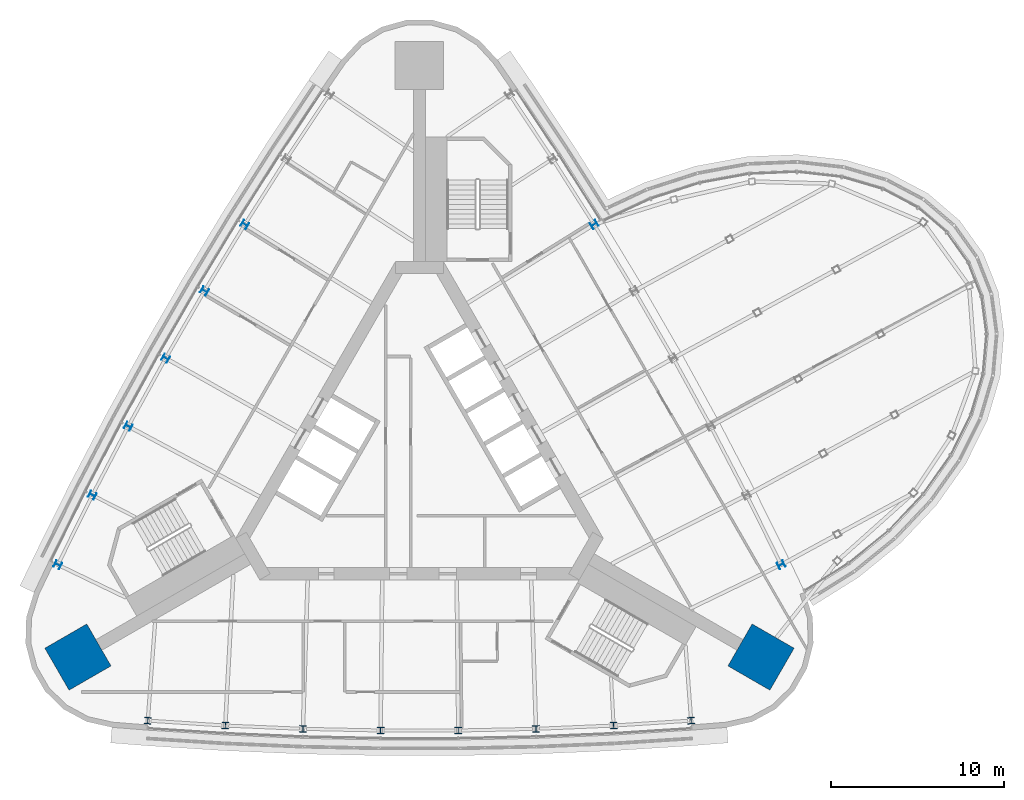
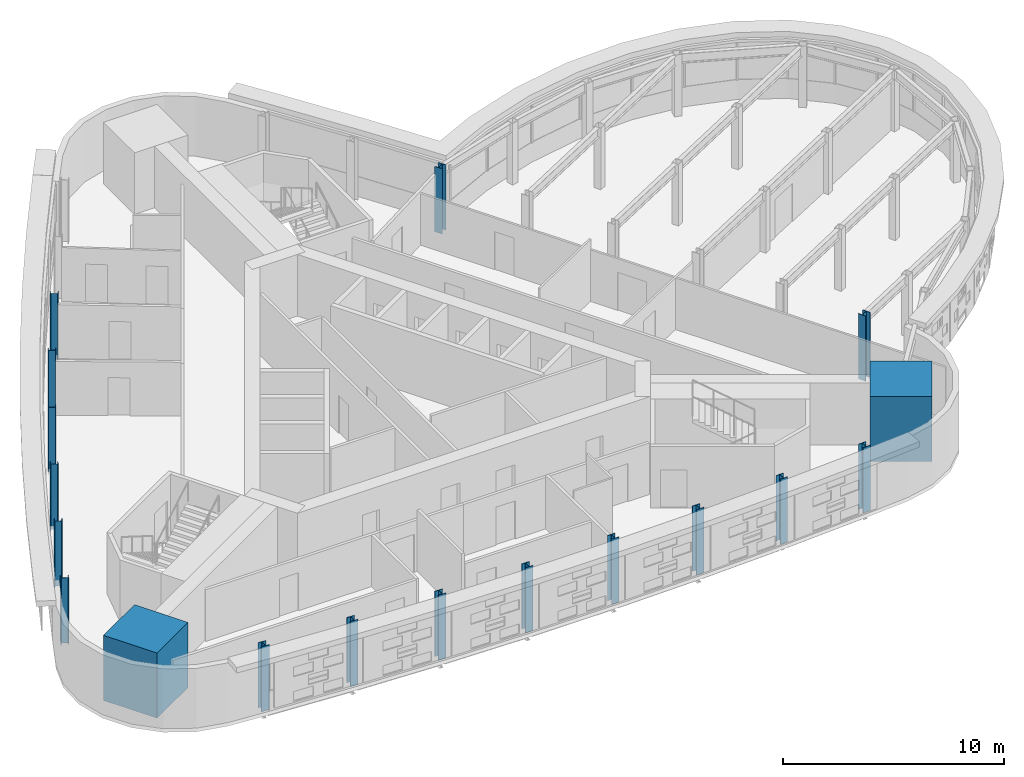
# One storey, part 1 of 15: 18 columns.
"""IFC4 building model written with IfcOpenShell, lengths in metres."""

from ifc_helpers import new_model, si_unit, direction, frame, origin, origin_2d, place, context, subcontext, project, spatial, rectangle, i_section, extrude, material, material_profile, profile_set, type_object, element, save


model = new_model("IFC4")

# Units and contexts
model_context = context("Model", 3, precision=1e-05, world=origin(), true_north=direction((0.0, 1.0)))
body_context = subcontext(model_context, "Body", "Model", "MODEL_VIEW")
ifc_project = project(units=[si_unit("LENGTHUNIT", "METRE"), si_unit("AREAUNIT", "SQUARE_METRE"), si_unit("VOLUMEUNIT", "CUBIC_METRE"), si_unit("PLANEANGLEUNIT", "RADIAN"), si_unit("MASSUNIT", "GRAM", prefix="KILO")], contexts=[model_context])

# Site, building, storey
site_placement = place(None, origin())
site = spatial("IfcSite", under=ifc_project, at=site_placement, CompositionType="ELEMENT")
building_placement = place(site_placement, origin())
building = spatial("IfcBuilding", under=site, at=building_placement, Name="Noor Cloister Tower", CompositionType="ELEMENT")
storey_placement = place(building_placement, frame((0.0, 0.0, 181.5)))
storey = spatial("IfcBuildingStorey", under=building, at=storey_placement, Name="L46", CompositionType="ELEMENT", Elevation=181.5)

# Columns
ifc_material_1 = material(Name="Steel ASTM A992 Gr 50", Category="steel")
ifc_material_profile_1 = material_profile(ifc_material_1, i_section(OverallWidth=0.39404296875, OverallDepth=0.3759765625, WebThickness=0.017333984375, FlangeThickness=0.027587890625, FilletRadius=0.01513671875, at=origin_2d()), Name="W360x216")
ifc_profile_set_1 = profile_set([ifc_material_profile_1], Name="Steel ASTM A992 Gr 50")
column_type_1 = type_object("IfcColumnType", Name="Column W360x216", PredefinedType="COLUMN", material=ifc_profile_set_1)
for number, where, z_axis, x_axis, name in (
    (1, (-10.0908203125, 13.5986328125, -0.199951171875), (0.0, 0.0, 1.0), (-0.527258715049, -0.849704800154, 0.0), "Column NW 03 L46"),
    (2, (-12.416748046875, 9.760009765625, -0.199951171875), (0.0, 0.0, 1.0), (-0.509143685622, -0.860681536569, 0.0), "Column NW 04 L46"),
    (3, (-14.660888671875, 5.873291015625, -0.199951171875), (0.0, 0.0, 1.0), (-0.490800232426, -0.87127213421, 0.0), "Column NW 05 L46"),
    (4, (-16.822265625, 1.939453125, -0.199951171875), (0.0, 0.0, 1.0), (-0.472236585126, -0.881471841676, 0.0), "Column NW 06 L46"),
    (5, (-18.899658203125, -2.0390625, -0.199951171875), (0.0, 0.0, 1.0), (-0.453461072156, -0.89127608295, 0.0), "Column NW 07 L46"),
    (6, (-20.892578125, -6.060546875, -0.199951171875), (0.0, 0.0, 1.0), (-0.434482117051, -0.90068045941, 0.0), "Column NW 08 L46"),
    (7, (-15.69482421875, -15.063232421875, -0.199951171875), (0.0, 0.0, 1.0), (0.997253217067, -0.074067678849, 0.0), "Column S 01 L46"),
    (8, (-11.215576171875, -15.34814453125, -0.199951171875), (0.0, 0.0, 1.0), (0.998598265698, -0.05292923336, 0.0), "Column S 02 L46"),
    (9, (-6.7314453125, -15.538330078125, -0.199951171875), (0.0, 0.0, 1.0), (0.999495300175, -0.031767041523, 0.0), "Column S 03 L46"),
    (10, (-2.244140625, -15.63330078125, -0.199951171875), (0.0, 0.0, 1.0), (0.999943918048, -0.01059059764, 0.0), "Column S 04 L46"),
    (11, (2.244140625, -15.63330078125, -0.199951171875), (0.0, 0.0, 1.0), (0.999943918048, 0.01059059764, 0.0), "Column S 05 L46"),
    (12, (6.7314453125, -15.538330078125, -0.199951171875), (0.0, 0.0, 1.0), (0.999495300175, 0.031767041523, 0.0), "Column S 06 L46"),
    (13, (11.215576171875, -15.34814453125, -0.199951171875), (0.0, 0.0, 1.0), (0.998598265698, 0.05292923336, 0.0), "Column S 07 L46"),
    (14, (15.69482421875, -15.063232421875, -0.199951171875), (0.0, 0.0, 1.0), (0.997253217067, 0.074067678849, 0.0), "Column S 08 L46"),
    (15, (20.892578125, -6.060546875, -0.199951171875), (0.0, 0.0, 1.0), (-0.434482117051, 0.90068045941, 0.0), "Column NE 01 L46"),
    (16, (10.0908203125, 13.5986328125, -0.199951171875), (0.0, 0.0, 1.0), (-0.527258715049, 0.849704800154, 0.0), "Column NE 06 L46"),
):
    element("IfcColumn", number, at=place(storey_placement, frame(where, z_axis=z_axis, x_axis=x_axis)), inside=storey, type_object=column_type_1, Name=name, PredefinedType="COLUMN", context=body_context, shape_type="SweptSolid", body=[
        extrude(i_section(OverallWidth=0.39404296875, OverallDepth=0.3759765625, WebThickness=0.017333984375, FlangeThickness=0.027587890625, FilletRadius=0.01513671875, at=origin_2d()), origin(), (0.0, 0.0, 1.0), 3.599853515625),
    ])
ifc_material_2 = material(Name="Concrete C70/85", Category="concrete")
ifc_material_profile_2 = material_profile(ifc_material_2, rectangle(XDim=2.800048828125, YDim=2.800048828125, at=origin_2d()), Name="RC 2800x2800")
ifc_profile_set_2 = profile_set([ifc_material_profile_2], Name="Concrete C70/85")
column_type_2 = type_object("IfcColumnType", Name="Corner pier 2800 x 2800 C70/85", PredefinedType="COLUMN", material=ifc_profile_set_2)
for number, where, z_axis, x_axis, name in (
    (17, (-19.7314453125, -11.39208984375, -0.199951171875), (0.0, 0.0, 1.0), (-0.866025403784, -0.5, 0.0), "Corner pier SW L46"),
    (18, (19.7314453125, -11.39208984375, -0.199951171875), (0.0, 0.0, 1.0), (0.866025403784, -0.5, 0.0), "Corner pier SE L46"),
):
    element("IfcColumn", number, at=place(storey_placement, frame(where, z_axis=z_axis, x_axis=x_axis)), inside=storey, type_object=column_type_2, Name=name, PredefinedType="COLUMN", context=body_context, shape_type="SweptSolid", body=[
        extrude(rectangle(XDim=2.800048828125, YDim=2.800048828125, at=origin_2d()), origin(), (0.0, 0.0, 1.0), 3.599853515625),
    ])

save(model, "model.ifc")
